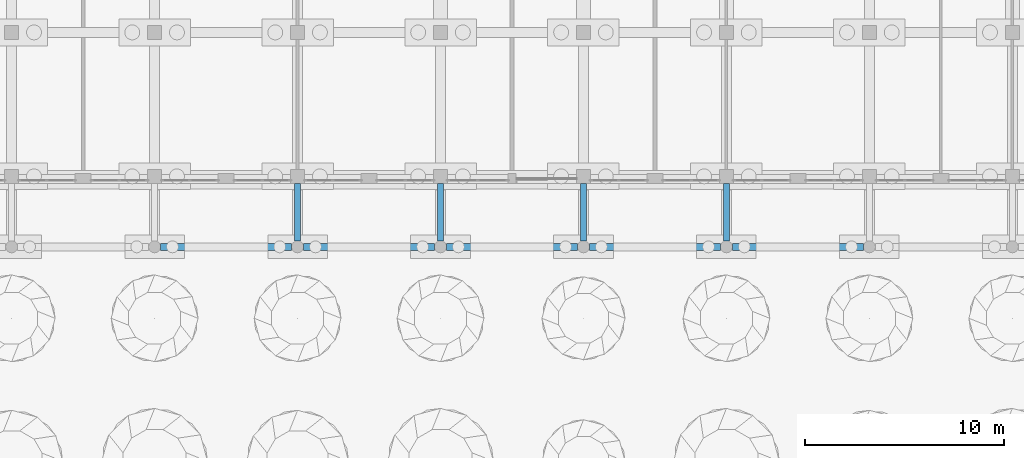
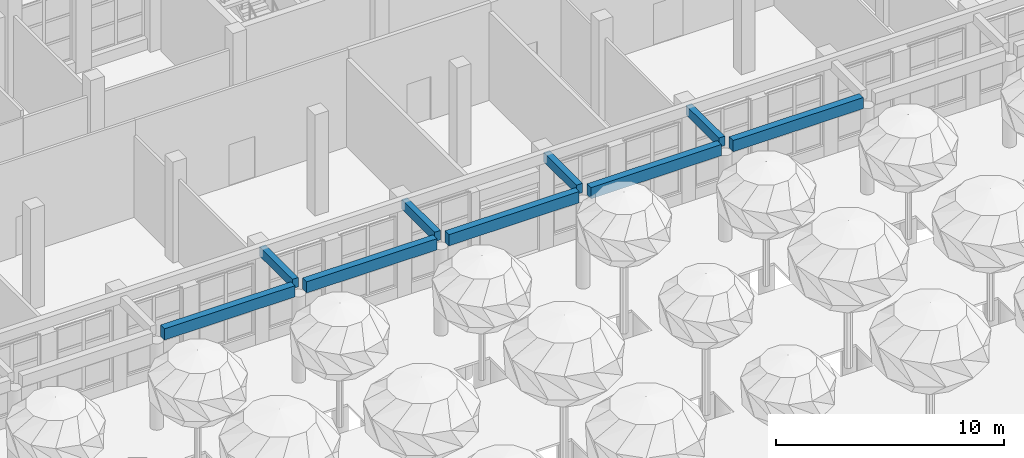
# One storey, part 16 of 80: 9 beams.
"""IFC4 building model written with IfcOpenShell, lengths in metres."""

from ifc_helpers import new_model, si_unit, direction, frame, origin, origin_2d, place, context, subcontext, project, spatial, rectangle, extrude, material, material_profile, profile_set, type_object, element, save


model = new_model("IFC4")

# Units and contexts
model_context = context("Model", 3, precision=1e-05, world=origin(), true_north=direction((0.0, 1.0)))
body_context = subcontext(model_context, "Body", "Model", "MODEL_VIEW")
ifc_project = project(units=[si_unit("LENGTHUNIT", "METRE"), si_unit("AREAUNIT", "SQUARE_METRE"), si_unit("VOLUMEUNIT", "CUBIC_METRE"), si_unit("PLANEANGLEUNIT", "RADIAN"), si_unit("MASSUNIT", "GRAM", prefix="KILO")], contexts=[model_context])

# Site, building, storey
site_placement = place(None, origin())
site = spatial("IfcSite", under=ifc_project, at=site_placement, CompositionType="ELEMENT")
building_placement = place(site_placement, origin())
building = spatial("IfcBuilding", under=site, at=building_placement, Name="Ussher Court Research Institute", CompositionType="ELEMENT")
storey_placement = place(building_placement, origin())
storey = spatial("IfcBuildingStorey", under=building, at=storey_placement, Name="L00", CompositionType="ELEMENT", Elevation=0.0)

# Beams
ifc_material_1 = material(Name="Concrete C35/45", Category="concrete")
ifc_material_profile_1 = material_profile(ifc_material_1, rectangle(XDim=0.300048828125, YDim=0.5, at=origin_2d()), Name="RC 300x500")
ifc_profile_set_1 = profile_set([ifc_material_profile_1], Name="Concrete C35/45")
beam_type_1 = type_object("IfcBeamType", Name="RC 300x500 beam", PredefinedType="BEAM", material=ifc_profile_set_1)
for number, where, z_axis, x_axis, name in (
    (1, (39.0, 65.5, 4.969970703125), (0.0, 1.0, 0.0), (-1.0, 0.0, 0.0), "B2 V5C L00-06"),
    (2, (46.199951171875, 65.5, 4.969970703125), (0.0, 1.0, 0.0), (-1.0, 0.0, 0.0), "B2 V5C L00-07"),
    (3, (53.39990234375, 65.5, 4.969970703125), (0.0, 1.0, 0.0), (-1.0, 0.0, 0.0), "B2 V5C L00-08"),
    (4, (60.60009765625, 65.5, 4.969970703125), (0.0, 1.0, 0.0), (-1.0, 0.0, 0.0), "B2 V5C L00-09"),
):
    element("IfcBeam", number, at=place(storey_placement, frame(where, z_axis=z_axis, x_axis=x_axis)), inside=storey, type_object=beam_type_1, Name=name, PredefinedType="BEAM", context=body_context, shape_type="SweptSolid", body=[
        extrude(rectangle(XDim=0.300048828125, YDim=0.5, at=origin_2d()), origin(), (0.0, 0.0, 1.0), 2.89990234375),
    ])
ifc_material_2 = material(Name="Concrete C35/45", Category="concrete")
ifc_material_profile_2 = material_profile(ifc_material_2, rectangle(XDim=0.35009765625, YDim=0.60009765625, at=origin_2d()), Name="RC 350x600")
ifc_profile_set_2 = profile_set([ifc_material_profile_2], Name="Concrete C35/45")
beam_type_2 = type_object("IfcBeamType", Name="RC 350x600 beam", PredefinedType="BEAM", material=ifc_profile_set_2)
for number, where, z_axis, x_axis, name in (
    (5, (32.10009765625, 65.199951171875, 4.919921875), (1.0, 0.0, 0.0), (0.0, 1.0, 0.0), "B15 V5C L00-05"),
    (6, (39.300048828125, 65.199951171875, 4.919921875), (1.0, 0.0, 0.0), (0.0, 1.0, 0.0), "B15 V5C L00-06"),
):
    element("IfcBeam", number, at=place(storey_placement, frame(where, z_axis=z_axis, x_axis=x_axis)), inside=storey, type_object=beam_type_2, Name=name, PredefinedType="BEAM", context=body_context, shape_type="SweptSolid", body=[
        extrude(rectangle(XDim=0.35009765625, YDim=0.60009765625, at=origin_2d()), origin(), (0.0, 0.0, 1.0), 6.599853515625),
    ])
for number, where, z_axis, x_axis, name in (
    (7, (46.5, 65.199951171875, 4.919921875), (1.0, 0.0, 0.0), (0.0, 1.0, 0.0), "B15 V5C L00-07"),
    (8, (53.699951171875, 65.199951171875, 4.919921875), (1.0, 0.0, 0.0), (0.0, 1.0, 0.0), "B15 V5C L00-08"),
    (9, (60.89990234375, 65.199951171875, 4.919921875), (1.0, 0.0, 0.0), (0.0, 1.0, 0.0), "B15 V5C L00-09"),
):
    element("IfcBeam", number, at=place(storey_placement, frame(where, z_axis=z_axis, x_axis=x_axis)), inside=storey, type_object=beam_type_2, Name=name, PredefinedType="BEAM", context=body_context, shape_type="SweptSolid", body=[
        extrude(rectangle(XDim=0.35009765625, YDim=0.60009765625, at=origin_2d()), origin(), (0.0, 0.0, 1.0), 6.60009765625),
    ])

save(model, "model.ifc")
